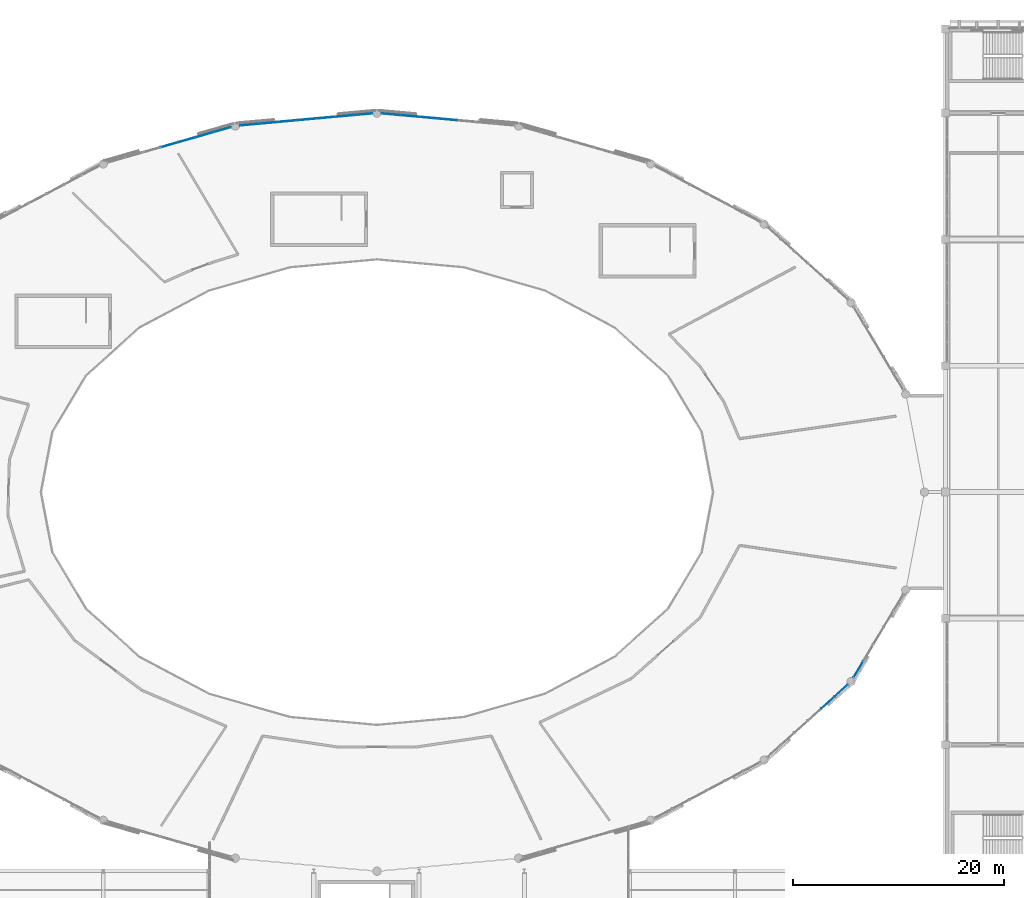
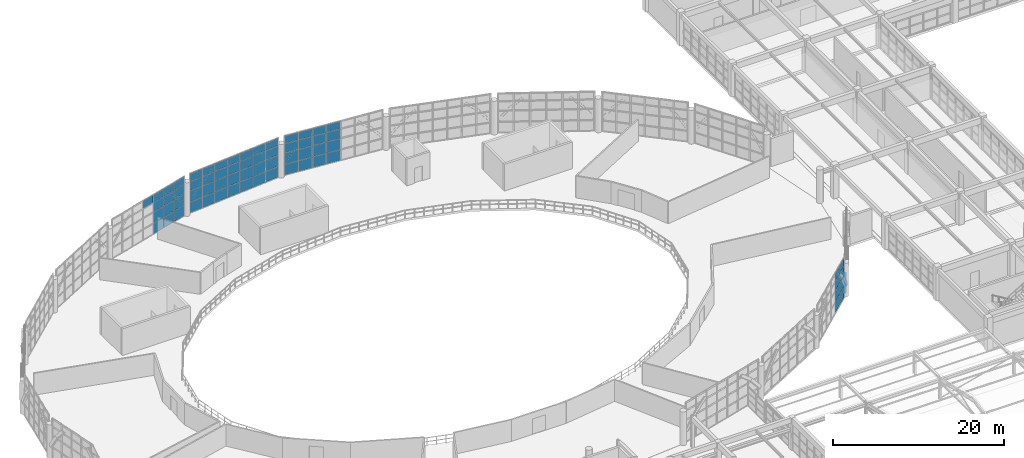
# One storey, part 70 of 109: 66 plates, 5 elements without a shape of their own.
"""IFC4 building model written with IfcOpenShell, lengths in metres."""

import ifcopenshell
import ifcopenshell.guid

model = None  # the IFC model being written
_history = None  # IfcOwnerHistory: only IFC2X3 demands one
_inside = {}  # id of a spatial element -> (the spatial element, [elements in it])
_under = {}  # id of a project, library or spatial element -> (it, [spatial elements below it])
_declared = {}  # id of a project -> (the project, [libraries it declares])
_typed = {}  # id of a type object -> (the type object, [elements of that type])
_made_of = {}  # id of a material, layer set ... -> (it, [elements and type objects made of it])


def new_model(schema):
    """Start an empty IFC model of exactly this schema.

    Asked for "IFC4X3", IfcOpenShell would pick the latest addendum, in which some entities
    have other attributes; the version numbers below select the first issue.
    IFC2X3 requires an IfcOwnerHistory on every rooted entity: one is made here for all.
    """
    global model, _history
    if schema == "IFC4X3":
        model = ifcopenshell.file(schema_version=(4, 3, 0, 0))
    else:
        model = ifcopenshell.file(schema=schema)
    _inside.clear()
    _under.clear()
    _declared.clear()
    _typed.clear()
    _made_of.clear()
    _history = None
    if model.schema == "IFC2X3":
        org = make("IfcOrganization", Name="unknown")
        user = make(
            "IfcPersonAndOrganization",
            ThePerson=make("IfcPerson", FamilyName="unknown"),
            TheOrganization=org,
        )
        app = make(
            "IfcApplication",
            ApplicationDeveloper=org,
            Version="unknown",
            ApplicationFullName="unknown",
            ApplicationIdentifier="unknown",
        )
        _history = make(
            "IfcOwnerHistory",
            OwningUser=user,
            OwningApplication=app,
            ChangeAction="ADDED",
            CreationDate=0,
        )
    return model


def make(cls, **values):
    """One entity of the class cls with the attributes given. An attribute that is None is left unset."""
    return model.create_entity(
        cls, **{name: value for name, value in values.items() if value is not None}
    )


def rooted(cls, **values):
    """An entity with a GlobalId (a new one), such as an element, a storey or a relation."""
    return make(cls, GlobalId=ifcopenshell.guid.new(), OwnerHistory=_history, **values)


def si_unit(unit_type, name, prefix=None):
    """IfcSIUnit, for example si_unit("LENGTHUNIT", "METRE", prefix="MILLI")."""
    return make("IfcSIUnit", UnitType=unit_type, Prefix=prefix, Name=name)


def assignment(units):
    """IfcUnitAssignment: the units of a project."""
    return None if units is None else make("IfcUnitAssignment", Units=units)


def point(xyz):
    """IfcCartesianPoint."""
    return None if xyz is None else make("IfcCartesianPoint", Coordinates=xyz)


def direction(xyz):
    """IfcDirection."""
    return None if xyz is None else make("IfcDirection", DirectionRatios=xyz)


def frame(location, z_axis=None, x_axis=None):
    """IfcAxis2Placement3D, a coordinate frame: its origin and axes. An axis left out is left unset."""
    return make(
        "IfcAxis2Placement3D",
        Location=point(location),
        Axis=direction(z_axis),
        RefDirection=direction(x_axis),
    )


def frame_2d(location, x_axis=None):
    """IfcAxis2Placement2D, a coordinate frame in the plane: its origin and x axis."""
    return make(
        "IfcAxis2Placement2D", Location=point(location), RefDirection=direction(x_axis)
    )


def origin():
    """The frame at (0, 0, 0) with its axes left unset."""
    return frame((0.0, 0.0, 0.0))


def origin_2d():
    """The frame at (0, 0) in the plane with its x axis left unset."""
    return frame_2d((0.0, 0.0))


def place(relative_to, where):
    """IfcLocalPlacement: puts the frame where relative to a parent placement (None: the world)."""
    return make(
        "IfcLocalPlacement", PlacementRelTo=relative_to, RelativePlacement=where
    )


def context(
    kind, dimensions, precision=None, world=None, true_north=None, identifier=None
):
    """IfcGeometricRepresentationContext, for example the 3D "Model" context."""
    return make(
        "IfcGeometricRepresentationContext",
        ContextIdentifier=identifier,
        ContextType=kind,
        CoordinateSpaceDimension=dimensions,
        Precision=precision,
        WorldCoordinateSystem=world,
        TrueNorth=true_north,
    )


def subcontext(parent, identifier, kind, view, scale=None):
    """IfcGeometricRepresentationSubContext, for example "Body" below "Model"."""
    return make(
        "IfcGeometricRepresentationSubContext",
        ContextIdentifier=identifier,
        ContextType=kind,
        ParentContext=parent,
        TargetScale=scale,
        TargetView=view,
    )


def project(units=None, contexts=None):
    """IfcProject with its units and contexts."""
    return rooted(
        "IfcProject",
        Name="project",
        RepresentationContexts=contexts,
        UnitsInContext=assignment(units),
    )


def spatial(cls, under=None, at=None, **own):
    """A site, building, storey or space (cls), placed at a placement, below another one or the project."""
    s = rooted(cls, ObjectPlacement=at, **own)
    if under is not None:
        _under.setdefault(under.id(), (under, []))[1].append(s)
    return s


def profile(cls, at=None, kind="AREA", **sizes):
    """A parametric profile (cls). Its sizes go by their IFC names, for example OverallWidth=200.0."""
    return make(cls, ProfileType=kind, Position=at, **sizes)


def rectangle(**sizes):
    """IfcRectangleProfileDef."""
    return profile("IfcRectangleProfileDef", **sizes)


def extrude(swept, where, along, depth):
    """IfcExtrudedAreaSolid: the profile swept, set in the frame where, extruded along a direction by depth."""
    return make(
        "IfcExtrudedAreaSolid",
        SweptArea=swept,
        Position=where,
        ExtrudedDirection=direction(along),
        Depth=depth,
    )


def shape(context_of_items, identifier, shape_type, items):
    """IfcShapeRepresentation: the items that make up one representation, for example the "Body"."""
    return make(
        "IfcShapeRepresentation",
        ContextOfItems=context_of_items,
        RepresentationIdentifier=identifier,
        RepresentationType=shape_type,
        Items=items,
    )


def material(Name=None, Category=None):
    """IfcMaterial."""
    return make("IfcMaterial", Name=Name, Category=Category)


def layer(
    of_material, thickness, ventilated=None, Name=None, Category=None, Priority=None
):
    """IfcMaterialLayer: one layer of a wall or slab, of a material (None: an air gap)."""
    return make(
        "IfcMaterialLayer",
        Material=of_material,
        LayerThickness=thickness,
        IsVentilated=ventilated,
        Name=Name,
        Category=Category,
        Priority=Priority,
    )


def layer_set(layers, Name=None):
    """IfcMaterialLayerSet."""
    return make("IfcMaterialLayerSet", MaterialLayers=layers, LayerSetName=Name)


def made_of(thing, what):
    """Note that an element or type object is made of a material, layer set ...; save() writes the relation."""
    if what is not None:
        _made_of.setdefault(what.id(), (what, []))[1].append(thing)
    return thing


def type_object(cls, material=None, **own):
    """A type object (cls), such as IfcWallType, which elements share."""
    return made_of(rooted(cls, **own), material)


def element(
    cls,
    number,
    at=None,
    inside=None,
    cuts=None,
    type_object=None,
    material=None,
    context=None,
    identifier="Body",
    shape_type=None,
    held_by="IfcProductDefinitionShape",
    body=None,
    shapes=None,
    **own,
):
    """One element of the class cls, such as IfcWall. Its Tag is "e" and its number.

    at: its placement. inside: the storey or other place that contains it. cuts: it is an
    opening in that element (IfcRelVoidsElement). A single representation is given by context,
    identifier, shape_type and body (its items); several are given by shapes. held_by: the class
    of the entity that holds the representations. save() writes the other relations.
    """
    e = rooted(cls, Tag="e%d" % number, ObjectPlacement=at, **own)
    if body is not None:
        shapes = [shape(context, identifier, shape_type, body)]
    if shapes is not None:
        e.Representation = make(held_by, Representations=shapes)
    if inside is not None:
        _inside.setdefault(inside.id(), (inside, []))[1].append(e)
    if cuts is not None:
        rooted(
            "IfcRelVoidsElement", RelatingBuildingElement=cuts, RelatedOpeningElement=e
        )
    if type_object is not None:
        _typed.setdefault(type_object.id(), (type_object, []))[1].append(e)
    return made_of(e, material)


def aggregate(whole, parts):
    """IfcRelAggregates: a whole, such as a stair, and the parts it consists of."""
    return rooted("IfcRelAggregates", RelatingObject=whole, RelatedObjects=parts)


def save(model, path):
    """Write the relations noted so far, then the file.

    IfcRelAggregates (storeys below a building ...), IfcRelContainedInSpatialStructure (elements
    in a storey), IfcRelDefinesByType, IfcRelAssociatesMaterial and IfcRelDeclares: one each for
    every whole, place, type object, material and project.
    """
    for whole, parts in _under.values():
        aggregate(whole, parts)
    for where, things in _inside.values():
        rooted(
            "IfcRelContainedInSpatialStructure",
            RelatedElements=things,
            RelatingStructure=where,
        )
    for kind, things in _typed.values():
        rooted("IfcRelDefinesByType", RelatedObjects=things, RelatingType=kind)
    for what, things in _made_of.values():
        rooted("IfcRelAssociatesMaterial", RelatedObjects=things, RelatingMaterial=what)
    for by, libraries in _declared.values():
        rooted("IfcRelDeclares", RelatingContext=by, RelatedDefinitions=libraries)
    model.write(path)


model = new_model("IFC4")

# Units and contexts
model_context = context("Model", 3, precision=1e-05, world=origin(), true_north=direction((0.0, 1.0)))
body_context = subcontext(model_context, "Body", "Model", "MODEL_VIEW")
ifc_project = project(units=[si_unit("LENGTHUNIT", "METRE"), si_unit("AREAUNIT", "SQUARE_METRE"), si_unit("VOLUMEUNIT", "CUBIC_METRE"), si_unit("PLANEANGLEUNIT", "RADIAN"), si_unit("MASSUNIT", "GRAM", prefix="KILO")], contexts=[model_context])

# Site, building, storey
site_placement = place(None, origin())
site = spatial("IfcSite", under=ifc_project, at=site_placement, CompositionType="ELEMENT")
building_placement = place(site_placement, origin())
building = spatial("IfcBuilding", under=site, at=building_placement, Name="Kivolera Central Railway Station", CompositionType="ELEMENT")
storey_placement = place(building_placement, frame((0.0, 0.0, 9.60009765625)))
storey = spatial("IfcBuildingStorey", under=building, at=storey_placement, Name="L02", CompositionType="ELEMENT", Elevation=9.60009765625)

# Curtain wall, plates
ifc_material_1 = material(Name="Anodised aluminium", Category="aluminium")
ifc_layer_1 = layer(ifc_material_1, 0.179931640625, Name="Anodised aluminium")
ifc_layer_set_1 = layer_set([ifc_layer_1], Name="Anodised aluminium")
curtain_wall_type_1 = type_object("IfcCurtainWallType", Name="CW-SYS-13", PredefinedType="NOTDEFINED", material=ifc_layer_set_1)
curtain_wall_1_placement = place(storey_placement, origin())
curtain_wall_1 = element("IfcCurtainWall", 1, at=curtain_wall_1_placement, inside=storey, type_object=curtain_wall_type_1, Name="L02 Curtain Wall CW-L02-OVL-05", PredefinedType="NOTDEFINED")
ifc_material_2 = material(Name="Double low-E laminated glass", Category="glass")
ifc_layer_2 = layer(ifc_material_2, 0.033935546875, Name="Double low-E laminated glass")
ifc_layer_set_2 = layer_set([ifc_layer_2], Name="Double low-E laminated glass")
plate_type_1 = type_object("IfcPlateType", Name="CWP-GLZ-3", PredefinedType="CURTAIN_PANEL", material=ifc_layer_set_2)
plate_1_placement = place(storey_placement, frame((65.31982421875, 125.8798828125, 0.057861328125), z_axis=(0.0, 0.0, 1.0), x_axis=(0.995866087555, -0.090833560193, 0.0)))
plate_1 = element("IfcPlate", 2, at=plate_1_placement, type_object=plate_type_1, Name="CW-13 panel 1.1", PredefinedType="CURTAIN_PANEL", context=body_context, shape_type="SweptSolid", body=[
    extrude(rectangle(XDim=1.735595703125, YDim=0.033935546875, at=origin_2d()), origin(), (0.0, 0.0, 1.0), 1.51904296875),
])
plate_2_placement = place(storey_placement, frame((65.31982421875, 125.8798828125, 1.623046875), z_axis=(0.0, 0.0, 1.0), x_axis=(0.995866087555, -0.090833560193, 0.0)))
plate_2 = element("IfcPlate", 3, at=plate_2_placement, type_object=plate_type_1, Name="CW-13 panel 1.2", PredefinedType="CURTAIN_PANEL", context=body_context, shape_type="SweptSolid", body=[
    extrude(rectangle(XDim=1.735595703125, YDim=0.033935546875, at=origin_2d()), origin(), (0.0, 0.0, 1.0), 1.553955078125),
])
plate_3_placement = place(storey_placement, frame((65.31982421875, 125.8798828125, 3.22314453125), z_axis=(0.0, 0.0, 1.0), x_axis=(0.995866087555, -0.090833560193, 0.0)))
plate_3 = element("IfcPlate", 4, at=plate_3_placement, type_object=plate_type_1, Name="CW-13 panel 1.3", PredefinedType="CURTAIN_PANEL", context=body_context, shape_type="SweptSolid", body=[
    extrude(rectangle(XDim=1.735595703125, YDim=0.033935546875, at=origin_2d()), origin(), (0.0, 0.0, 1.0), 1.303955078125),
])
plate_4_placement = place(storey_placement, frame((65.31982421875, 125.8798828125, 4.57275390625), z_axis=(0.0, 0.0, 1.0), x_axis=(0.995866087555, -0.090833560193, 0.0)))
plate_4 = element("IfcPlate", 5, at=plate_4_placement, type_object=plate_type_1, Name="CW-13 panel 1.4", PredefinedType="CURTAIN_PANEL", context=body_context, shape_type="SweptSolid", body=[
    extrude(rectangle(XDim=1.735595703125, YDim=0.033935546875, at=origin_2d()), origin(), (0.0, 0.0, 1.0), 1.069091796875),
])
plate_5_placement = place(storey_placement, frame((67.111572265625, 125.716552734375, 0.057861328125), z_axis=(0.0, 0.0, 1.0), x_axis=(0.995866087555, -0.090833560193, 0.0)))
plate_5 = element("IfcPlate", 6, at=plate_5_placement, type_object=plate_type_1, Name="CW-13 panel 2.1", PredefinedType="CURTAIN_PANEL", context=body_context, shape_type="SweptSolid", body=[
    extrude(rectangle(XDim=1.7705078125, YDim=0.033935546875, at=origin_2d()), origin(), (0.0, 0.0, 1.0), 1.51904296875),
])
plate_6_placement = place(storey_placement, frame((67.111572265625, 125.716552734375, 1.623046875), z_axis=(0.0, 0.0, 1.0), x_axis=(0.995866087555, -0.090833560193, 0.0)))
plate_6 = element("IfcPlate", 7, at=plate_6_placement, type_object=plate_type_1, Name="CW-13 panel 2.2", PredefinedType="CURTAIN_PANEL", context=body_context, shape_type="SweptSolid", body=[
    extrude(rectangle(XDim=1.7705078125, YDim=0.033935546875, at=origin_2d()), origin(), (0.0, 0.0, 1.0), 1.553955078125),
])
plate_7_placement = place(storey_placement, frame((67.111572265625, 125.716552734375, 3.22314453125), z_axis=(0.0, 0.0, 1.0), x_axis=(0.995866087555, -0.090833560193, 0.0)))
plate_7 = element("IfcPlate", 8, at=plate_7_placement, type_object=plate_type_1, Name="CW-13 panel 2.3", PredefinedType="CURTAIN_PANEL", context=body_context, shape_type="SweptSolid", body=[
    extrude(rectangle(XDim=1.7705078125, YDim=0.033935546875, at=origin_2d()), origin(), (0.0, 0.0, 1.0), 1.303955078125),
])
plate_8_placement = place(storey_placement, frame((67.111572265625, 125.716552734375, 4.57275390625), z_axis=(0.0, 0.0, 1.0), x_axis=(0.995866087555, -0.090833560193, 0.0)))
plate_8 = element("IfcPlate", 9, at=plate_8_placement, type_object=plate_type_1, Name="CW-13 panel 2.4", PredefinedType="CURTAIN_PANEL", context=body_context, shape_type="SweptSolid", body=[
    extrude(rectangle(XDim=1.7705078125, YDim=0.033935546875, at=origin_2d()), origin(), (0.0, 0.0, 1.0), 1.069091796875),
])
plate_9_placement = place(storey_placement, frame((68.92041015625, 125.551513671875, 0.057861328125), z_axis=(0.0, 0.0, 1.0), x_axis=(0.995866087555, -0.090833560193, 0.0)))
plate_9 = element("IfcPlate", 10, at=plate_9_placement, type_object=plate_type_1, Name="CW-13 panel 3.1", PredefinedType="CURTAIN_PANEL", context=body_context, shape_type="SweptSolid", body=[
    extrude(rectangle(XDim=1.7705078125, YDim=0.033935546875, at=origin_2d()), origin(), (0.0, 0.0, 1.0), 1.51904296875),
])
plate_10_placement = place(storey_placement, frame((68.92041015625, 125.551513671875, 1.623046875), z_axis=(0.0, 0.0, 1.0), x_axis=(0.995866087555, -0.090833560193, 0.0)))
plate_10 = element("IfcPlate", 11, at=plate_10_placement, type_object=plate_type_1, Name="CW-13 panel 3.2", PredefinedType="CURTAIN_PANEL", context=body_context, shape_type="SweptSolid", body=[
    extrude(rectangle(XDim=1.7705078125, YDim=0.033935546875, at=origin_2d()), origin(), (0.0, 0.0, 1.0), 1.553955078125),
])
plate_11_placement = place(storey_placement, frame((68.92041015625, 125.551513671875, 3.22314453125), z_axis=(0.0, 0.0, 1.0), x_axis=(0.995866087555, -0.090833560193, 0.0)))
plate_11 = element("IfcPlate", 12, at=plate_11_placement, type_object=plate_type_1, Name="CW-13 panel 3.3", PredefinedType="CURTAIN_PANEL", context=body_context, shape_type="SweptSolid", body=[
    extrude(rectangle(XDim=1.7705078125, YDim=0.033935546875, at=origin_2d()), origin(), (0.0, 0.0, 1.0), 1.303955078125),
])
plate_12_placement = place(storey_placement, frame((68.92041015625, 125.551513671875, 4.57275390625), z_axis=(0.0, 0.0, 1.0), x_axis=(0.995866087555, -0.090833560193, 0.0)))
plate_12 = element("IfcPlate", 13, at=plate_12_placement, type_object=plate_type_1, Name="CW-13 panel 3.4", PredefinedType="CURTAIN_PANEL", context=body_context, shape_type="SweptSolid", body=[
    extrude(rectangle(XDim=1.7705078125, YDim=0.033935546875, at=origin_2d()), origin(), (0.0, 0.0, 1.0), 1.069091796875),
])
plate_13_placement = place(storey_placement, frame((70.7294921875, 125.386474609375, 0.057861328125), z_axis=(0.0, 0.0, 1.0), x_axis=(0.995866087555, -0.090833560193, 0.0)))
plate_13 = element("IfcPlate", 14, at=plate_13_placement, type_object=plate_type_1, Name="CW-13 panel 4.1", PredefinedType="CURTAIN_PANEL", context=body_context, shape_type="SweptSolid", body=[
    extrude(rectangle(XDim=1.7705078125, YDim=0.033935546875, at=origin_2d()), origin(), (0.0, 0.0, 1.0), 1.51904296875),
])
plate_14_placement = place(storey_placement, frame((70.7294921875, 125.386474609375, 1.623046875), z_axis=(0.0, 0.0, 1.0), x_axis=(0.995866087555, -0.090833560193, 0.0)))
plate_14 = element("IfcPlate", 15, at=plate_14_placement, type_object=plate_type_1, Name="CW-13 panel 4.2", PredefinedType="CURTAIN_PANEL", context=body_context, shape_type="SweptSolid", body=[
    extrude(rectangle(XDim=1.7705078125, YDim=0.033935546875, at=origin_2d()), origin(), (0.0, 0.0, 1.0), 1.553955078125),
])
plate_15_placement = place(storey_placement, frame((70.7294921875, 125.386474609375, 3.22314453125), z_axis=(0.0, 0.0, 1.0), x_axis=(0.995866087555, -0.090833560193, 0.0)))
plate_15 = element("IfcPlate", 16, at=plate_15_placement, type_object=plate_type_1, Name="CW-13 panel 4.3", PredefinedType="CURTAIN_PANEL", context=body_context, shape_type="SweptSolid", body=[
    extrude(rectangle(XDim=1.7705078125, YDim=0.033935546875, at=origin_2d()), origin(), (0.0, 0.0, 1.0), 1.303955078125),
])
plate_16_placement = place(storey_placement, frame((70.7294921875, 125.386474609375, 4.57275390625), z_axis=(0.0, 0.0, 1.0), x_axis=(0.995866087555, -0.090833560193, 0.0)))
plate_16 = element("IfcPlate", 17, at=plate_16_placement, type_object=plate_type_1, Name="CW-13 panel 4.4", PredefinedType="CURTAIN_PANEL", context=body_context, shape_type="SweptSolid", body=[
    extrude(rectangle(XDim=1.7705078125, YDim=0.033935546875, at=origin_2d()), origin(), (0.0, 0.0, 1.0), 1.069091796875),
])
aggregate(curtain_wall_1, [plate_1, plate_2, plate_3, plate_4, plate_5, plate_6, plate_7, plate_8, plate_9, plate_10, plate_11, plate_12, plate_13, plate_14, plate_15, plate_16])

curtain_wall_2_placement = place(storey_placement, origin())
curtain_wall_2 = element("IfcCurtainWall", 18, at=curtain_wall_2_placement, inside=storey, type_object=curtain_wall_type_1, Name="L02 Curtain Wall CW-L02-OVL-06", PredefinedType="NOTDEFINED")
ifc_layer_3 = layer(ifc_material_2, 0.0380859375, Name="Double low-E laminated glass")
ifc_layer_set_3 = layer_set([ifc_layer_3], Name="Double low-E laminated glass")
plate_type_2 = type_object("IfcPlateType", Name="CWP-GLZ-4", PredefinedType="CURTAIN_PANEL", material=ifc_layer_set_3)
plate_17_placement = place(storey_placement, frame((51.86083984375, 124.89306640625, 0.057861328125), z_axis=(0.0, 0.0, 1.0), x_axis=(0.995866087555, 0.090833560193, 0.0)))
plate_17 = element("IfcPlate", 19, at=plate_17_placement, type_object=plate_type_2, Name="CW-13 panel 1.1", PredefinedType="CURTAIN_PANEL", context=body_context, shape_type="SweptSolid", body=[
    extrude(rectangle(XDim=1.735595703125, YDim=0.0380859375, at=origin_2d()), origin(), (0.0, 0.0, 1.0), 1.51904296875),
])
plate_18_placement = place(storey_placement, frame((51.86083984375, 124.89306640625, 1.623046875), z_axis=(0.0, 0.0, 1.0), x_axis=(0.995866087555, 0.090833560193, 0.0)))
plate_18 = element("IfcPlate", 20, at=plate_18_placement, type_object=plate_type_2, Name="CW-13 panel 1.2", PredefinedType="CURTAIN_PANEL", context=body_context, shape_type="SweptSolid", body=[
    extrude(rectangle(XDim=1.735595703125, YDim=0.0380859375, at=origin_2d()), origin(), (0.0, 0.0, 1.0), 1.553955078125),
])
plate_19_placement = place(storey_placement, frame((51.86083984375, 124.89306640625, 3.22314453125), z_axis=(0.0, 0.0, 1.0), x_axis=(0.995866087555, 0.090833560193, 0.0)))
plate_19 = element("IfcPlate", 21, at=plate_19_placement, type_object=plate_type_2, Name="CW-13 panel 1.3", PredefinedType="CURTAIN_PANEL", context=body_context, shape_type="SweptSolid", body=[
    extrude(rectangle(XDim=1.735595703125, YDim=0.0380859375, at=origin_2d()), origin(), (0.0, 0.0, 1.0), 1.303955078125),
])
plate_20_placement = place(storey_placement, frame((51.86083984375, 124.89306640625, 4.57275390625), z_axis=(0.0, 0.0, 1.0), x_axis=(0.995866087555, 0.090833560193, 0.0)))
plate_20 = element("IfcPlate", 22, at=plate_20_placement, type_object=plate_type_2, Name="CW-13 panel 1.4", PredefinedType="CURTAIN_PANEL", context=body_context, shape_type="SweptSolid", body=[
    extrude(rectangle(XDim=1.735595703125, YDim=0.0380859375, at=origin_2d()), origin(), (0.0, 0.0, 1.0), 1.069091796875),
])
plate_21_placement = place(storey_placement, frame((53.652587890625, 125.056396484375, 0.057861328125), z_axis=(0.0, 0.0, 1.0), x_axis=(0.995866087555, 0.090833560193, 0.0)))
plate_21 = element("IfcPlate", 23, at=plate_21_placement, type_object=plate_type_2, Name="CW-13 panel 2.1", PredefinedType="CURTAIN_PANEL", context=body_context, shape_type="SweptSolid", body=[
    extrude(rectangle(XDim=1.7705078125, YDim=0.0380859375, at=origin_2d()), origin(), (0.0, 0.0, 1.0), 1.51904296875),
])
plate_22_placement = place(storey_placement, frame((53.652587890625, 125.056396484375, 1.623046875), z_axis=(0.0, 0.0, 1.0), x_axis=(0.995866087555, 0.090833560193, 0.0)))
plate_22 = element("IfcPlate", 24, at=plate_22_placement, type_object=plate_type_2, Name="CW-13 panel 2.2", PredefinedType="CURTAIN_PANEL", context=body_context, shape_type="SweptSolid", body=[
    extrude(rectangle(XDim=1.7705078125, YDim=0.0380859375, at=origin_2d()), origin(), (0.0, 0.0, 1.0), 1.553955078125),
])
plate_23_placement = place(storey_placement, frame((53.652587890625, 125.056396484375, 3.22314453125), z_axis=(0.0, 0.0, 1.0), x_axis=(0.995866087555, 0.090833560193, 0.0)))
plate_23 = element("IfcPlate", 25, at=plate_23_placement, type_object=plate_type_2, Name="CW-13 panel 2.3", PredefinedType="CURTAIN_PANEL", context=body_context, shape_type="SweptSolid", body=[
    extrude(rectangle(XDim=1.7705078125, YDim=0.0380859375, at=origin_2d()), origin(), (0.0, 0.0, 1.0), 1.303955078125),
])
plate_24_placement = place(storey_placement, frame((53.652587890625, 125.056396484375, 4.57275390625), z_axis=(0.0, 0.0, 1.0), x_axis=(0.995866087555, 0.090833560193, 0.0)))
plate_24 = element("IfcPlate", 26, at=plate_24_placement, type_object=plate_type_2, Name="CW-13 panel 2.4", PredefinedType="CURTAIN_PANEL", context=body_context, shape_type="SweptSolid", body=[
    extrude(rectangle(XDim=1.7705078125, YDim=0.0380859375, at=origin_2d()), origin(), (0.0, 0.0, 1.0), 1.069091796875),
])
plate_25_placement = place(storey_placement, frame((55.46142578125, 125.221435546875, 0.057861328125), z_axis=(0.0, 0.0, 1.0), x_axis=(0.995866087555, 0.090833560193, 0.0)))
plate_25 = element("IfcPlate", 27, at=plate_25_placement, type_object=plate_type_2, Name="CW-13 panel 3.1", PredefinedType="CURTAIN_PANEL", context=body_context, shape_type="SweptSolid", body=[
    extrude(rectangle(XDim=1.7705078125, YDim=0.0380859375, at=origin_2d()), origin(), (0.0, 0.0, 1.0), 1.51904296875),
])
plate_26_placement = place(storey_placement, frame((55.46142578125, 125.221435546875, 1.623046875), z_axis=(0.0, 0.0, 1.0), x_axis=(0.995866087555, 0.090833560193, 0.0)))
plate_26 = element("IfcPlate", 28, at=plate_26_placement, type_object=plate_type_2, Name="CW-13 panel 3.2", PredefinedType="CURTAIN_PANEL", context=body_context, shape_type="SweptSolid", body=[
    extrude(rectangle(XDim=1.7705078125, YDim=0.0380859375, at=origin_2d()), origin(), (0.0, 0.0, 1.0), 1.553955078125),
])
plate_27_placement = place(storey_placement, frame((55.46142578125, 125.221435546875, 3.22314453125), z_axis=(0.0, 0.0, 1.0), x_axis=(0.995866087555, 0.090833560193, 0.0)))
plate_27 = element("IfcPlate", 29, at=plate_27_placement, type_object=plate_type_2, Name="CW-13 panel 3.3", PredefinedType="CURTAIN_PANEL", context=body_context, shape_type="SweptSolid", body=[
    extrude(rectangle(XDim=1.7705078125, YDim=0.0380859375, at=origin_2d()), origin(), (0.0, 0.0, 1.0), 1.303955078125),
])
plate_28_placement = place(storey_placement, frame((55.46142578125, 125.221435546875, 4.57275390625), z_axis=(0.0, 0.0, 1.0), x_axis=(0.995866087555, 0.090833560193, 0.0)))
plate_28 = element("IfcPlate", 30, at=plate_28_placement, type_object=plate_type_2, Name="CW-13 panel 3.4", PredefinedType="CURTAIN_PANEL", context=body_context, shape_type="SweptSolid", body=[
    extrude(rectangle(XDim=1.7705078125, YDim=0.0380859375, at=origin_2d()), origin(), (0.0, 0.0, 1.0), 1.069091796875),
])
plate_29_placement = place(storey_placement, frame((57.2705078125, 125.386474609375, 0.057861328125), z_axis=(0.0, 0.0, 1.0), x_axis=(0.995866087555, 0.090833560193, 0.0)))
plate_29 = element("IfcPlate", 31, at=plate_29_placement, type_object=plate_type_2, Name="CW-13 panel 4.1", PredefinedType="CURTAIN_PANEL", context=body_context, shape_type="SweptSolid", body=[
    extrude(rectangle(XDim=1.7705078125, YDim=0.0380859375, at=origin_2d()), origin(), (0.0, 0.0, 1.0), 1.51904296875),
])
plate_30_placement = place(storey_placement, frame((57.2705078125, 125.386474609375, 1.623046875), z_axis=(0.0, 0.0, 1.0), x_axis=(0.995866087555, 0.090833560193, 0.0)))
plate_30 = element("IfcPlate", 32, at=plate_30_placement, type_object=plate_type_2, Name="CW-13 panel 4.2", PredefinedType="CURTAIN_PANEL", context=body_context, shape_type="SweptSolid", body=[
    extrude(rectangle(XDim=1.7705078125, YDim=0.0380859375, at=origin_2d()), origin(), (0.0, 0.0, 1.0), 1.553955078125),
])
plate_31_placement = place(storey_placement, frame((57.2705078125, 125.386474609375, 3.22314453125), z_axis=(0.0, 0.0, 1.0), x_axis=(0.995866087555, 0.090833560193, 0.0)))
plate_31 = element("IfcPlate", 33, at=plate_31_placement, type_object=plate_type_2, Name="CW-13 panel 4.3", PredefinedType="CURTAIN_PANEL", context=body_context, shape_type="SweptSolid", body=[
    extrude(rectangle(XDim=1.7705078125, YDim=0.0380859375, at=origin_2d()), origin(), (0.0, 0.0, 1.0), 1.303955078125),
])
plate_32_placement = place(storey_placement, frame((57.2705078125, 125.386474609375, 4.57275390625), z_axis=(0.0, 0.0, 1.0), x_axis=(0.995866087555, 0.090833560193, 0.0)))
plate_32 = element("IfcPlate", 34, at=plate_32_placement, type_object=plate_type_2, Name="CW-13 panel 4.4", PredefinedType="CURTAIN_PANEL", context=body_context, shape_type="SweptSolid", body=[
    extrude(rectangle(XDim=1.7705078125, YDim=0.0380859375, at=origin_2d()), origin(), (0.0, 0.0, 1.0), 1.069091796875),
])
plate_33_placement = place(storey_placement, frame((59.07958984375, 125.551513671875, 0.057861328125), z_axis=(0.0, 0.0, 1.0), x_axis=(0.995866087555, 0.090833560193, 0.0)))
plate_33 = element("IfcPlate", 35, at=plate_33_placement, type_object=plate_type_2, Name="CW-13 panel 5.1", PredefinedType="CURTAIN_PANEL", context=body_context, shape_type="SweptSolid", body=[
    extrude(rectangle(XDim=1.7705078125, YDim=0.0380859375, at=origin_2d()), origin(), (0.0, 0.0, 1.0), 1.51904296875),
])
plate_34_placement = place(storey_placement, frame((59.07958984375, 125.551513671875, 1.623046875), z_axis=(0.0, 0.0, 1.0), x_axis=(0.995866087555, 0.090833560193, 0.0)))
plate_34 = element("IfcPlate", 36, at=plate_34_placement, type_object=plate_type_2, Name="CW-13 panel 5.2", PredefinedType="CURTAIN_PANEL", context=body_context, shape_type="SweptSolid", body=[
    extrude(rectangle(XDim=1.7705078125, YDim=0.0380859375, at=origin_2d()), origin(), (0.0, 0.0, 1.0), 1.553955078125),
])
plate_35_placement = place(storey_placement, frame((59.07958984375, 125.551513671875, 3.22314453125), z_axis=(0.0, 0.0, 1.0), x_axis=(0.995866087555, 0.090833560193, 0.0)))
plate_35 = element("IfcPlate", 37, at=plate_35_placement, type_object=plate_type_2, Name="CW-13 panel 5.3", PredefinedType="CURTAIN_PANEL", context=body_context, shape_type="SweptSolid", body=[
    extrude(rectangle(XDim=1.7705078125, YDim=0.0380859375, at=origin_2d()), origin(), (0.0, 0.0, 1.0), 1.303955078125),
])
plate_36_placement = place(storey_placement, frame((59.07958984375, 125.551513671875, 4.57275390625), z_axis=(0.0, 0.0, 1.0), x_axis=(0.995866087555, 0.090833560193, 0.0)))
plate_36 = element("IfcPlate", 38, at=plate_36_placement, type_object=plate_type_2, Name="CW-13 panel 5.4", PredefinedType="CURTAIN_PANEL", context=body_context, shape_type="SweptSolid", body=[
    extrude(rectangle(XDim=1.7705078125, YDim=0.0380859375, at=origin_2d()), origin(), (0.0, 0.0, 1.0), 1.069091796875),
])
plate_37_placement = place(storey_placement, frame((60.888427734375, 125.716552734375, 0.057861328125), z_axis=(0.0, 0.0, 1.0), x_axis=(0.995866087555, 0.090833560193, 0.0)))
plate_37 = element("IfcPlate", 39, at=plate_37_placement, type_object=plate_type_2, Name="CW-13 panel 6.1", PredefinedType="CURTAIN_PANEL", context=body_context, shape_type="SweptSolid", body=[
    extrude(rectangle(XDim=1.7705078125, YDim=0.0380859375, at=origin_2d()), origin(), (0.0, 0.0, 1.0), 1.51904296875),
])
plate_38_placement = place(storey_placement, frame((60.888427734375, 125.716552734375, 1.623046875), z_axis=(0.0, 0.0, 1.0), x_axis=(0.995866087555, 0.090833560193, 0.0)))
plate_38 = element("IfcPlate", 40, at=plate_38_placement, type_object=plate_type_2, Name="CW-13 panel 6.2", PredefinedType="CURTAIN_PANEL", context=body_context, shape_type="SweptSolid", body=[
    extrude(rectangle(XDim=1.7705078125, YDim=0.0380859375, at=origin_2d()), origin(), (0.0, 0.0, 1.0), 1.553955078125),
])
plate_39_placement = place(storey_placement, frame((60.888427734375, 125.716552734375, 3.22314453125), z_axis=(0.0, 0.0, 1.0), x_axis=(0.995866087555, 0.090833560193, 0.0)))
plate_39 = element("IfcPlate", 41, at=plate_39_placement, type_object=plate_type_2, Name="CW-13 panel 6.3", PredefinedType="CURTAIN_PANEL", context=body_context, shape_type="SweptSolid", body=[
    extrude(rectangle(XDim=1.7705078125, YDim=0.0380859375, at=origin_2d()), origin(), (0.0, 0.0, 1.0), 1.303955078125),
])
plate_40_placement = place(storey_placement, frame((60.888427734375, 125.716552734375, 4.57275390625), z_axis=(0.0, 0.0, 1.0), x_axis=(0.995866087555, 0.090833560193, 0.0)))
plate_40 = element("IfcPlate", 42, at=plate_40_placement, type_object=plate_type_2, Name="CW-13 panel 6.4", PredefinedType="CURTAIN_PANEL", context=body_context, shape_type="SweptSolid", body=[
    extrude(rectangle(XDim=1.7705078125, YDim=0.0380859375, at=origin_2d()), origin(), (0.0, 0.0, 1.0), 1.069091796875),
])
plate_41_placement = place(storey_placement, frame((62.68017578125, 125.8798828125, 0.057861328125), z_axis=(0.0, 0.0, 1.0), x_axis=(0.995866087555, 0.090833560193, 0.0)))
plate_41 = element("IfcPlate", 43, at=plate_41_placement, type_object=plate_type_2, Name="CW-13 panel 7.1", PredefinedType="CURTAIN_PANEL", context=body_context, shape_type="SweptSolid", body=[
    extrude(rectangle(XDim=1.735595703125, YDim=0.0380859375, at=origin_2d()), origin(), (0.0, 0.0, 1.0), 1.51904296875),
])
plate_42_placement = place(storey_placement, frame((62.68017578125, 125.8798828125, 1.623046875), z_axis=(0.0, 0.0, 1.0), x_axis=(0.995866087555, 0.090833560193, 0.0)))
plate_42 = element("IfcPlate", 44, at=plate_42_placement, type_object=plate_type_2, Name="CW-13 panel 7.2", PredefinedType="CURTAIN_PANEL", context=body_context, shape_type="SweptSolid", body=[
    extrude(rectangle(XDim=1.735595703125, YDim=0.0380859375, at=origin_2d()), origin(), (0.0, 0.0, 1.0), 1.553955078125),
])
plate_43_placement = place(storey_placement, frame((62.68017578125, 125.8798828125, 3.22314453125), z_axis=(0.0, 0.0, 1.0), x_axis=(0.995866087555, 0.090833560193, 0.0)))
plate_43 = element("IfcPlate", 45, at=plate_43_placement, type_object=plate_type_2, Name="CW-13 panel 7.3", PredefinedType="CURTAIN_PANEL", context=body_context, shape_type="SweptSolid", body=[
    extrude(rectangle(XDim=1.735595703125, YDim=0.0380859375, at=origin_2d()), origin(), (0.0, 0.0, 1.0), 1.303955078125),
])
plate_44_placement = place(storey_placement, frame((62.68017578125, 125.8798828125, 4.57275390625), z_axis=(0.0, 0.0, 1.0), x_axis=(0.995866087555, 0.090833560193, 0.0)))
plate_44 = element("IfcPlate", 46, at=plate_44_placement, type_object=plate_type_2, Name="CW-13 panel 7.4", PredefinedType="CURTAIN_PANEL", context=body_context, shape_type="SweptSolid", body=[
    extrude(rectangle(XDim=1.735595703125, YDim=0.0380859375, at=origin_2d()), origin(), (0.0, 0.0, 1.0), 1.069091796875),
])
aggregate(curtain_wall_2, [plate_17, plate_18, plate_19, plate_20, plate_21, plate_22, plate_23, plate_24, plate_25, plate_26, plate_27, plate_28, plate_29, plate_30, plate_31, plate_32, plate_33, plate_34, plate_35, plate_36, plate_37, plate_38, plate_39, plate_40, plate_41, plate_42, plate_43, plate_44])

ifc_layer_4 = layer(ifc_material_1, 0.179931640625, Name="Anodised aluminium")
ifc_layer_set_4 = layer_set([ifc_layer_4], Name="Anodised aluminium")
curtain_wall_type_2 = type_object("IfcCurtainWallType", Name="CW-SYS-06", PredefinedType="NOTDEFINED", material=ifc_layer_set_4)
curtain_wall_3_placement = place(storey_placement, origin())
curtain_wall_3 = element("IfcCurtainWall", 47, at=curtain_wall_3_placement, inside=storey, type_object=curtain_wall_type_2, Name="L02 Curtain Wall CW-L02-OVL-21", PredefinedType="NOTDEFINED")
plate_45_placement = place(storey_placement, frame((108.083984375, 71.1435546875, 0.057861328125), z_axis=(0.0, 0.0, 1.0), x_axis=(-0.742431873669, -0.669921572246, 0.0)))
plate_45 = element("IfcPlate", 48, at=plate_45_placement, type_object=plate_type_2, Name="CW-06 panel 1.1", PredefinedType="CURTAIN_PANEL", context=body_context, shape_type="SweptSolid", body=[
    extrude(rectangle(XDim=1.640625, YDim=0.0380859375, at=origin_2d()), origin(), (0.0, 0.0, 1.0), 1.51904296875),
])
plate_46_placement = place(storey_placement, frame((108.083984375, 71.1435546875, 1.623046875), z_axis=(0.0, 0.0, 1.0), x_axis=(-0.742431873669, -0.669921572246, 0.0)))
plate_46 = element("IfcPlate", 49, at=plate_46_placement, type_object=plate_type_2, Name="CW-06 panel 1.2", PredefinedType="CURTAIN_PANEL", context=body_context, shape_type="SweptSolid", body=[
    extrude(rectangle(XDim=1.640625, YDim=0.0380859375, at=origin_2d()), origin(), (0.0, 0.0, 1.0), 1.553955078125),
])
plate_47_placement = place(storey_placement, frame((108.083984375, 71.1435546875, 3.22314453125), z_axis=(0.0, 0.0, 1.0), x_axis=(-0.742431873669, -0.669921572246, 0.0)))
plate_47 = element("IfcPlate", 50, at=plate_47_placement, type_object=plate_type_2, Name="CW-06 panel 1.3", PredefinedType="CURTAIN_PANEL", context=body_context, shape_type="SweptSolid", body=[
    extrude(rectangle(XDim=1.640625, YDim=0.0380859375, at=origin_2d()), origin(), (0.0, 0.0, 1.0), 1.303955078125),
])
plate_48_placement = place(storey_placement, frame((108.083984375, 71.1435546875, 4.57275390625), z_axis=(0.0, 0.0, 1.0), x_axis=(-0.742431873669, -0.669921572246, 0.0)))
plate_48 = element("IfcPlate", 51, at=plate_48_placement, type_object=plate_type_2, Name="CW-06 panel 1.4", PredefinedType="CURTAIN_PANEL", context=body_context, shape_type="SweptSolid", body=[
    extrude(rectangle(XDim=1.640625, YDim=0.0380859375, at=origin_2d()), origin(), (0.0, 0.0, 1.0), 1.069091796875),
])
plate_49_placement = place(storey_placement, frame((106.81884765625, 70.001953125, 0.057861328125), z_axis=(0.0, 0.0, 1.0), x_axis=(-0.742431873669, -0.669921572246, 0.0)))
plate_49 = element("IfcPlate", 52, at=plate_49_placement, type_object=plate_type_2, Name="CW-06 panel 2.1", PredefinedType="CURTAIN_PANEL", context=body_context, shape_type="SweptSolid", body=[
    extrude(rectangle(XDim=1.675537109375, YDim=0.0380859375, at=origin_2d()), origin(), (0.0, 0.0, 1.0), 1.51904296875),
])
plate_50_placement = place(storey_placement, frame((106.81884765625, 70.001953125, 1.623046875), z_axis=(0.0, 0.0, 1.0), x_axis=(-0.742431873669, -0.669921572246, 0.0)))
plate_50 = element("IfcPlate", 53, at=plate_50_placement, type_object=plate_type_2, Name="CW-06 panel 2.2", PredefinedType="CURTAIN_PANEL", context=body_context, shape_type="SweptSolid", body=[
    extrude(rectangle(XDim=1.675537109375, YDim=0.0380859375, at=origin_2d()), origin(), (0.0, 0.0, 1.0), 1.553955078125),
])
plate_51_placement = place(storey_placement, frame((106.81884765625, 70.001953125, 3.22314453125), z_axis=(0.0, 0.0, 1.0), x_axis=(-0.742431873669, -0.669921572246, 0.0)))
plate_51 = element("IfcPlate", 54, at=plate_51_placement, type_object=plate_type_2, Name="CW-06 panel 2.3", PredefinedType="CURTAIN_PANEL", context=body_context, shape_type="SweptSolid", body=[
    extrude(rectangle(XDim=1.675537109375, YDim=0.0380859375, at=origin_2d()), origin(), (0.0, 0.0, 1.0), 1.303955078125),
])
plate_52_placement = place(storey_placement, frame((106.81884765625, 70.001953125, 4.57275390625), z_axis=(0.0, 0.0, 1.0), x_axis=(-0.742431873669, -0.669921572246, 0.0)))
plate_52 = element("IfcPlate", 55, at=plate_52_placement, type_object=plate_type_2, Name="CW-06 panel 2.4", PredefinedType="CURTAIN_PANEL", context=body_context, shape_type="SweptSolid", body=[
    extrude(rectangle(XDim=1.675537109375, YDim=0.0380859375, at=origin_2d()), origin(), (0.0, 0.0, 1.0), 1.069091796875),
])
aggregate(curtain_wall_3, [plate_45, plate_46, plate_47, plate_48, plate_49, plate_50, plate_51, plate_52])

ifc_layer_5 = layer(ifc_material_1, 0.179931640625, Name="Anodised aluminium")
ifc_layer_set_5 = layer_set([ifc_layer_5], Name="Anodised aluminium")
curtain_wall_type_3 = type_object("IfcCurtainWallType", Name="CW-SYS-11", PredefinedType="NOTDEFINED", material=ifc_layer_set_5)
curtain_wall_4_placement = place(storey_placement, origin())
curtain_wall_4 = element("IfcCurtainWall", 56, at=curtain_wall_4_placement, inside=storey, type_object=curtain_wall_type_3, Name="L02 Curtain Wall CW-L02-OVL-07", PredefinedType="NOTDEFINED")
ifc_layer_6 = layer(ifc_material_2, 0.0419921875, Name="Double low-E laminated glass")
ifc_layer_set_6 = layer_set([ifc_layer_6], Name="Double low-E laminated glass")
plate_type_3 = type_object("IfcPlateType", Name="CWP-GLZ-5", PredefinedType="CURTAIN_PANEL", material=ifc_layer_set_6)
plate_53_placement = place(storey_placement, frame((44.2705078125, 122.97509765625, 4.57275390625), z_axis=(0.0, 0.0, 1.0), x_axis=(0.961246112288, 0.275691696668, 0.0)))
plate_53 = element("IfcPlate", 57, at=plate_53_placement, type_object=plate_type_3, Name="CW-11 panel 4.4", PredefinedType="CURTAIN_PANEL", context=body_context, shape_type="SweptSolid", body=[
    extrude(rectangle(XDim=1.703369140625, YDim=0.0419921875, at=origin_2d()), origin(), (0.0, 0.0, 1.0), 1.069091796875),
])
plate_54_placement = place(storey_placement, frame((45.9521484375, 123.457275390625, 0.057861328125), z_axis=(0.0, 0.0, 1.0), x_axis=(0.961246112288, 0.275691696668, 0.0)))
plate_54 = element("IfcPlate", 58, at=plate_54_placement, type_object=plate_type_3, Name="CW-11 panel 5.1", PredefinedType="CURTAIN_PANEL", context=body_context, shape_type="SweptSolid", body=[
    extrude(rectangle(XDim=1.703369140625, YDim=0.0419921875, at=origin_2d()), origin(), (0.0, 0.0, 1.0), 1.51904296875),
])
plate_55_placement = place(storey_placement, frame((45.9521484375, 123.457275390625, 1.623046875), z_axis=(0.0, 0.0, 1.0), x_axis=(0.961246112288, 0.275691696668, 0.0)))
plate_55 = element("IfcPlate", 59, at=plate_55_placement, type_object=plate_type_3, Name="CW-11 panel 5.2", PredefinedType="CURTAIN_PANEL", context=body_context, shape_type="SweptSolid", body=[
    extrude(rectangle(XDim=1.703369140625, YDim=0.0419921875, at=origin_2d()), origin(), (0.0, 0.0, 1.0), 1.553955078125),
])
plate_56_placement = place(storey_placement, frame((45.9521484375, 123.457275390625, 3.22314453125), z_axis=(0.0, 0.0, 1.0), x_axis=(0.961246112288, 0.275691696668, 0.0)))
plate_56 = element("IfcPlate", 60, at=plate_56_placement, type_object=plate_type_3, Name="CW-11 panel 5.3", PredefinedType="CURTAIN_PANEL", context=body_context, shape_type="SweptSolid", body=[
    extrude(rectangle(XDim=1.703369140625, YDim=0.0419921875, at=origin_2d()), origin(), (0.0, 0.0, 1.0), 1.303955078125),
])
plate_57_placement = place(storey_placement, frame((45.9521484375, 123.457275390625, 4.57275390625), z_axis=(0.0, 0.0, 1.0), x_axis=(0.961246112288, 0.275691696668, 0.0)))
plate_57 = element("IfcPlate", 61, at=plate_57_placement, type_object=plate_type_3, Name="CW-11 panel 5.4", PredefinedType="CURTAIN_PANEL", context=body_context, shape_type="SweptSolid", body=[
    extrude(rectangle(XDim=1.703369140625, YDim=0.0419921875, at=origin_2d()), origin(), (0.0, 0.0, 1.0), 1.069091796875),
])
plate_58_placement = place(storey_placement, frame((47.633544921875, 123.939453125, 0.057861328125), z_axis=(0.0, 0.0, 1.0), x_axis=(0.961246112288, 0.275691696668, 0.0)))
plate_58 = element("IfcPlate", 62, at=plate_58_placement, type_object=plate_type_3, Name="CW-11 panel 6.1", PredefinedType="CURTAIN_PANEL", context=body_context, shape_type="SweptSolid", body=[
    extrude(rectangle(XDim=1.703369140625, YDim=0.0419921875, at=origin_2d()), origin(), (0.0, 0.0, 1.0), 1.51904296875),
])
plate_59_placement = place(storey_placement, frame((47.633544921875, 123.939453125, 1.623046875), z_axis=(0.0, 0.0, 1.0), x_axis=(0.961246112288, 0.275691696668, 0.0)))
plate_59 = element("IfcPlate", 63, at=plate_59_placement, type_object=plate_type_3, Name="CW-11 panel 6.2", PredefinedType="CURTAIN_PANEL", context=body_context, shape_type="SweptSolid", body=[
    extrude(rectangle(XDim=1.703369140625, YDim=0.0419921875, at=origin_2d()), origin(), (0.0, 0.0, 1.0), 1.553955078125),
])
plate_60_placement = place(storey_placement, frame((47.633544921875, 123.939453125, 3.22314453125), z_axis=(0.0, 0.0, 1.0), x_axis=(0.961246112288, 0.275691696668, 0.0)))
plate_60 = element("IfcPlate", 64, at=plate_60_placement, type_object=plate_type_3, Name="CW-11 panel 6.3", PredefinedType="CURTAIN_PANEL", context=body_context, shape_type="SweptSolid", body=[
    extrude(rectangle(XDim=1.703369140625, YDim=0.0419921875, at=origin_2d()), origin(), (0.0, 0.0, 1.0), 1.303955078125),
])
plate_61_placement = place(storey_placement, frame((47.633544921875, 123.939453125, 4.57275390625), z_axis=(0.0, 0.0, 1.0), x_axis=(0.961246112288, 0.275691696668, 0.0)))
plate_61 = element("IfcPlate", 65, at=plate_61_placement, type_object=plate_type_3, Name="CW-11 panel 6.4", PredefinedType="CURTAIN_PANEL", context=body_context, shape_type="SweptSolid", body=[
    extrude(rectangle(XDim=1.703369140625, YDim=0.0419921875, at=origin_2d()), origin(), (0.0, 0.0, 1.0), 1.069091796875),
])
plate_62_placement = place(storey_placement, frame((49.29833984375, 124.4169921875, 0.057861328125), z_axis=(0.0, 0.0, 1.0), x_axis=(0.961246112288, 0.275691696668, 0.0)))
plate_62 = element("IfcPlate", 66, at=plate_62_placement, type_object=plate_type_3, Name="CW-11 panel 7.1", PredefinedType="CURTAIN_PANEL", context=body_context, shape_type="SweptSolid", body=[
    extrude(rectangle(XDim=1.66845703125, YDim=0.0419921875, at=origin_2d()), origin(), (0.0, 0.0, 1.0), 1.51904296875),
])
plate_63_placement = place(storey_placement, frame((49.29833984375, 124.4169921875, 1.623046875), z_axis=(0.0, 0.0, 1.0), x_axis=(0.961246112288, 0.275691696668, 0.0)))
plate_63 = element("IfcPlate", 67, at=plate_63_placement, type_object=plate_type_3, Name="CW-11 panel 7.2", PredefinedType="CURTAIN_PANEL", context=body_context, shape_type="SweptSolid", body=[
    extrude(rectangle(XDim=1.66845703125, YDim=0.0419921875, at=origin_2d()), origin(), (0.0, 0.0, 1.0), 1.553955078125),
])
plate_64_placement = place(storey_placement, frame((49.29833984375, 124.4169921875, 3.22314453125), z_axis=(0.0, 0.0, 1.0), x_axis=(0.961246112288, 0.275691696668, 0.0)))
plate_64 = element("IfcPlate", 68, at=plate_64_placement, type_object=plate_type_3, Name="CW-11 panel 7.3", PredefinedType="CURTAIN_PANEL", context=body_context, shape_type="SweptSolid", body=[
    extrude(rectangle(XDim=1.66845703125, YDim=0.0419921875, at=origin_2d()), origin(), (0.0, 0.0, 1.0), 1.303955078125),
])
plate_65_placement = place(storey_placement, frame((49.29833984375, 124.4169921875, 4.57275390625), z_axis=(0.0, 0.0, 1.0), x_axis=(0.961246112288, 0.275691696668, 0.0)))
plate_65 = element("IfcPlate", 69, at=plate_65_placement, type_object=plate_type_3, Name="CW-11 panel 7.4", PredefinedType="CURTAIN_PANEL", context=body_context, shape_type="SweptSolid", body=[
    extrude(rectangle(XDim=1.66845703125, YDim=0.0419921875, at=origin_2d()), origin(), (0.0, 0.0, 1.0), 1.069091796875),
])
aggregate(curtain_wall_4, [plate_53, plate_54, plate_55, plate_56, plate_57, plate_58, plate_59, plate_60, plate_61, plate_62, plate_63, plate_64, plate_65])

# Curtain wall, plate
ifc_layer_7 = layer(ifc_material_1, 0.179931640625, Name="Anodised aluminium")
ifc_layer_set_7 = layer_set([ifc_layer_7], Name="Anodised aluminium")
curtain_wall_type_4 = type_object("IfcCurtainWallType", Name="CW-SYS-03", PredefinedType="NOTDEFINED", material=ifc_layer_set_7)
curtain_wall_5_placement = place(storey_placement, origin())
curtain_wall_5 = element("IfcCurtainWall", 70, at=curtain_wall_5_placement, inside=storey, type_object=curtain_wall_type_4, Name="L02 Curtain Wall CW-L02-OVL-22", PredefinedType="NOTDEFINED")
plate_66_placement = place(storey_placement, frame((109.7255859375, 73.15771484375, 0.057861328125), z_axis=(0.0, 0.0, 1.0), x_axis=(-0.513453894052, -0.858117182372, 0.0)))
plate_66 = element("IfcPlate", 71, at=plate_66_placement, type_object=plate_type_3, Name="CW-03 panel 5.1", PredefinedType="CURTAIN_PANEL", context=body_context, shape_type="SweptSolid", body=[
    extrude(rectangle(XDim=1.782958984375, YDim=0.0419921875, at=origin_2d()), origin(), (0.0, 0.0, 1.0), 1.51904296875),
])
aggregate(curtain_wall_5, [plate_66])

save(model, "model.ifc")
